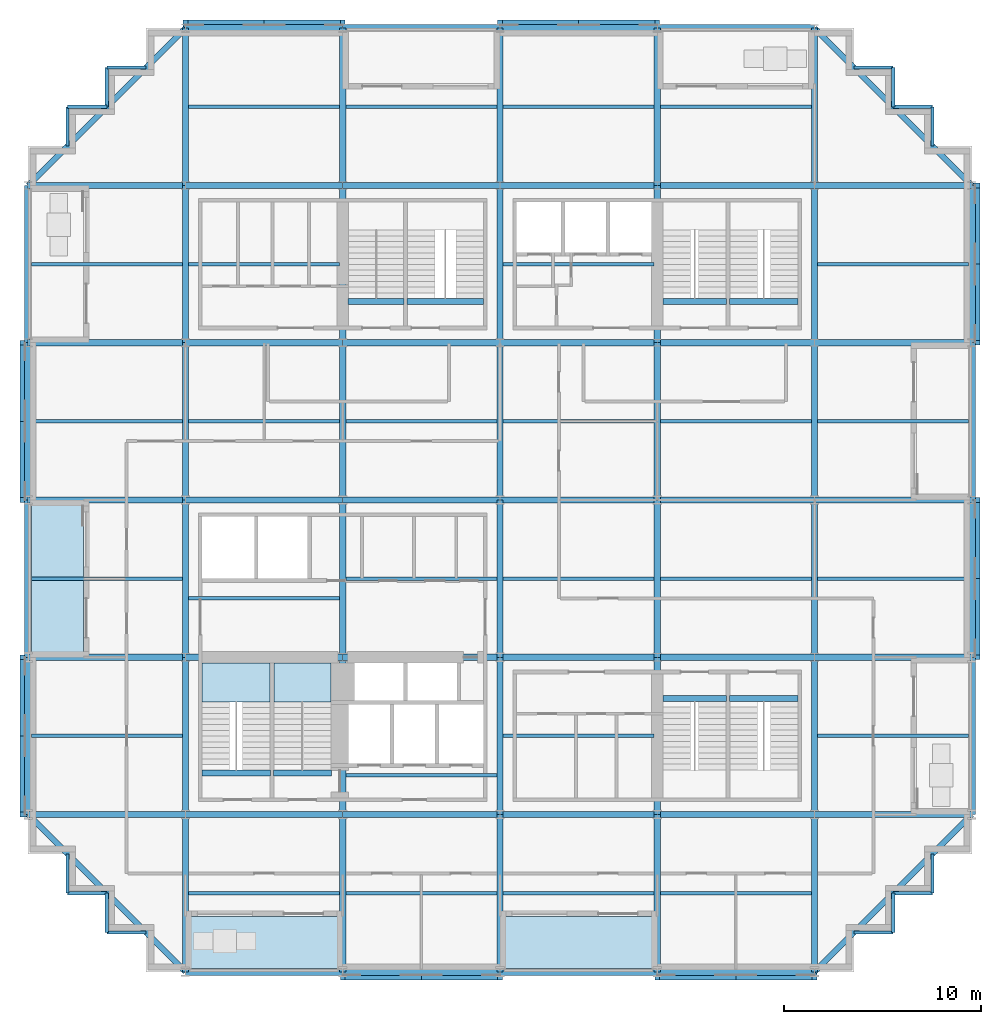
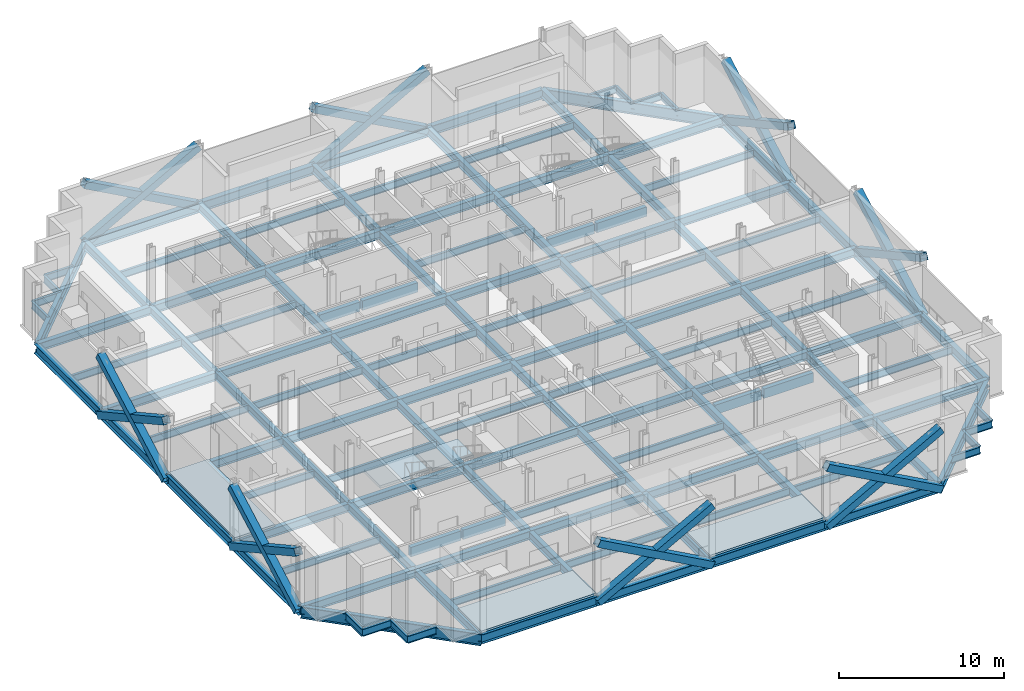
# One storey, part 3 of 13: 132 beams, 16 members, 5 slabs, 2 elements without a shape of their own.
"""IFC4 building model written with IfcOpenShell, lengths in metres."""

from ifc_helpers import new_model, si_unit, direction, frame, origin, origin_2d, place, context, subcontext, project, spatial, polyline, rectangle, hollow_rectangle, i_section, outline, extrude, material, layer, layer_set, material_profile, profile_set, type_object, element, aggregate, save


model = new_model("IFC4")

# Units and contexts
model_context = context("Model", 3, precision=1e-05, world=origin(), true_north=direction((0.0, 1.0)))
body_context = subcontext(model_context, "Body", "Model", "MODEL_VIEW")
ifc_project = project(units=[si_unit("LENGTHUNIT", "METRE"), si_unit("AREAUNIT", "SQUARE_METRE"), si_unit("VOLUMEUNIT", "CUBIC_METRE"), si_unit("PLANEANGLEUNIT", "RADIAN"), si_unit("MASSUNIT", "GRAM", prefix="KILO")], contexts=[model_context])

# Site, building, storey
site_placement = place(None, origin())
site = spatial("IfcSite", under=ifc_project, at=site_placement, CompositionType="ELEMENT")
building_placement = place(site_placement, origin())
building = spatial("IfcBuilding", under=site, at=building_placement, Name="Immortelle Media Tower", CompositionType="ELEMENT")
storey_placement = place(building_placement, frame((0.0, 0.0, 56.800048828125)))
storey = spatial("IfcBuildingStorey", under=building, at=storey_placement, Name="L09", CompositionType="ELEMENT", Elevation=56.800048828125)

# Members
ifc_material_1 = material(Name="Steel ASTM A500 Gr C", Category="steel")
ifc_material_profile_1 = material_profile(ifc_material_1, hollow_rectangle(XDim=0.508056640625, YDim=0.508056640625, WallThickness=0.011962890625, at=origin_2d()), Name="HSS20x20x1/2 brace")
ifc_profile_set_1 = profile_set([ifc_material_profile_1], Name="Steel ASTM A500 Gr C")
member_type = type_object("IfcMemberType", Name="HSS20x20x1/2 brace", PredefinedType="BRACE", material=ifc_profile_set_1)
for number, where, z_axis, x_axis, name in (
    (1, (-0.1640625, 32.0, -0.498046875), (0.0, -0.876220425204, 0.481910537812), (1.0, 0.0, 0.0), "Brace 1/D-E A"),
    (2, (-0.1640625, 32.0, 3.90185546875), (0.0, -0.876220425204, -0.481910537812), (1.0, 0.0, 0.0), "Brace 1/D-E B"),
    (3, (-0.1640625, 16.0, -0.498046875), (0.0, -0.876220425204, 0.481910537812), (1.0, 0.0, 0.0), "Brace 1/B-C A"),
    (4, (-0.1640625, 16.0, 3.90185546875), (0.0, -0.876220425204, -0.481910537812), (1.0, 0.0, 0.0), "Brace 1/B-C B"),
    (5, (16.0, -0.1640625, -0.498046875), (0.876220425204, 0.0, 0.481910537812), (0.0, 1.0, 0.0), "Brace A/3-4 A"),
    (6, (16.0, -0.1640625, 3.90185546875), (0.876220425204, 0.0, -0.481910537812), (0.0, 1.0, 0.0), "Brace A/3-4 B"),
    (7, (32.0, -0.1640625, -0.498046875), (0.876220425204, 0.0, 0.481910537812), (0.0, 1.0, 0.0), "Brace A/5-6 A"),
    (8, (32.0, -0.1640625, 3.90185546875), (0.876220425204, 0.0, -0.481910537812), (0.0, 1.0, 0.0), "Brace A/5-6 B"),
    (9, (48.1640625, 16.0, -0.498046875), (0.0, 0.876220425204, 0.481910537812), (-1.0, 0.0, 0.0), "Brace 7/C-D A"),
    (10, (48.1640625, 16.0, 3.90185546875), (0.0, 0.876220425204, -0.481910537812), (-1.0, 0.0, 0.0), "Brace 7/C-D B"),
    (11, (48.1640625, 32.0, -0.498046875), (0.0, 0.876220425204, 0.481910537812), (-1.0, 0.0, 0.0), "Brace 7/E-F A"),
    (12, (48.1640625, 32.0, 3.90185546875), (0.0, 0.876220425204, -0.481910537812), (-1.0, 0.0, 0.0), "Brace 7/E-F B"),
    (13, (32.0, 48.1640625, -0.498046875), (-0.876220425204, 0.0, 0.481910537812), (0.0, -1.0, 0.0), "Brace G/4-5 A"),
    (14, (32.0, 48.1640625, 3.90185546875), (-0.876220425204, 0.0, -0.481910537812), (0.0, -1.0, 0.0), "Brace G/4-5 B"),
    (15, (16.0, 48.1640625, -0.498046875), (-0.876220425204, 0.0, 0.481910537812), (0.0, -1.0, 0.0), "Brace G/2-3 A"),
    (16, (16.0, 48.1640625, 3.90185546875), (-0.876220425204, 0.0, -0.481910537812), (0.0, -1.0, 0.0), "Brace G/2-3 B"),
):
    element("IfcMember", number, at=place(storey_placement, frame(where, z_axis=z_axis, x_axis=x_axis)), inside=storey, type_object=member_type, Name=name, PredefinedType="BRACE", context=body_context, shape_type="SweptSolid", body=[
        extrude(hollow_rectangle(XDim=0.508056640625, YDim=0.508056640625, WallThickness=0.011962890625, at=origin_2d()), origin(), (0.0, 0.0, 1.0), 9.130126953125),
    ])

# Beams
ifc_material_2 = material(Name="Concrete C50/60", Category="concrete")
ifc_material_profile_2 = material_profile(ifc_material_2, rectangle(XDim=0.300048828125, YDim=0.699951171875, at=origin_2d()), Name="RC 300x700")
ifc_profile_set_2 = profile_set([ifc_material_profile_2], Name="Concrete C50/60")
beam_type_1 = type_object("IfcBeamType", Name="Stair trimmer beam 300 x 700", PredefinedType="BEAM", material=ifc_profile_set_2)
beam_1_placement = place(storey_placement, frame((8.830078125, 10.10498046875, -0.5), z_axis=(1.0, 0.0, 0.0), x_axis=(0.0, 1.0, 0.0)))
element("IfcBeam", 17, at=beam_1_placement, inside=storey, type_object=beam_type_1, Name="Stair trimmer beam SW1", PredefinedType="BEAM", context=body_context, shape_type="SweptSolid", body=[
    extrude(rectangle(XDim=0.300048828125, YDim=0.699951171875, at=origin_2d()), origin(), (0.0, 0.0, 1.0), 3.489990234375),
])
beam_2_placement = place(storey_placement, frame((12.47998046875, 10.10498046875, -0.5), z_axis=(1.0, 0.0, 0.0), x_axis=(0.0, 1.0, 0.0)))
element("IfcBeam", 18, at=beam_2_placement, inside=storey, type_object=beam_type_1, Name="Stair trimmer beam SW2", PredefinedType="BEAM", context=body_context, shape_type="SweptSolid", body=[
    extrude(rectangle(XDim=0.300048828125, YDim=0.699951171875, at=origin_2d()), origin(), (0.0, 0.0, 1.0), 2.93994140625),
])
beam_3_placement = place(storey_placement, frame((32.280029296875, 13.89501953125, -0.5), z_axis=(1.0, 0.0, 0.0), x_axis=(0.0, 1.0, 0.0)))
element("IfcBeam", 19, at=beam_3_placement, inside=storey, type_object=beam_type_1, Name="Stair trimmer beam SE1", PredefinedType="BEAM", context=body_context, shape_type="SweptSolid", body=[
    extrude(rectangle(XDim=0.300048828125, YDim=0.699951171875, at=origin_2d()), origin(), (0.0, 0.0, 1.0), 3.239990234375),
])
beam_4_placement = place(storey_placement, frame((35.679931640625, 13.89501953125, -0.5), z_axis=(1.0, 0.0, 0.0), x_axis=(0.0, 1.0, 0.0)))
element("IfcBeam", 20, at=beam_4_placement, inside=storey, type_object=beam_type_1, Name="Stair trimmer beam SE2", PredefinedType="BEAM", context=body_context, shape_type="SweptSolid", body=[
    extrude(rectangle(XDim=0.300048828125, YDim=0.699951171875, at=origin_2d()), origin(), (0.0, 0.0, 1.0), 3.489990234375),
])
beam_5_placement = place(storey_placement, frame((16.280029296875, 34.10498046875, -0.5), z_axis=(1.0, 0.0, 0.0), x_axis=(0.0, 1.0, 0.0)))
element("IfcBeam", 21, at=beam_5_placement, inside=storey, type_object=beam_type_1, Name="Stair trimmer beam NW1", PredefinedType="BEAM", context=body_context, shape_type="SweptSolid", body=[
    extrude(rectangle(XDim=0.300048828125, YDim=0.699951171875, at=origin_2d()), origin(), (0.0, 0.0, 1.0), 2.840087890625),
])
beam_6_placement = place(storey_placement, frame((19.280029296875, 34.10498046875, -0.5), z_axis=(1.0, 0.0, 0.0), x_axis=(0.0, 1.0, 0.0)))
element("IfcBeam", 22, at=beam_6_placement, inside=storey, type_object=beam_type_1, Name="Stair trimmer beam NW2", PredefinedType="BEAM", context=body_context, shape_type="SweptSolid", body=[
    extrude(rectangle(XDim=0.300048828125, YDim=0.699951171875, at=origin_2d()), origin(), (0.0, 0.0, 1.0), 3.889892578125),
])
beam_7_placement = place(storey_placement, frame((32.280029296875, 34.10498046875, -0.5), z_axis=(1.0, 0.0, 0.0), x_axis=(0.0, 1.0, 0.0)))
element("IfcBeam", 23, at=beam_7_placement, inside=storey, type_object=beam_type_1, Name="Stair trimmer beam NE1", PredefinedType="BEAM", context=body_context, shape_type="SweptSolid", body=[
    extrude(rectangle(XDim=0.300048828125, YDim=0.699951171875, at=origin_2d()), origin(), (0.0, 0.0, 1.0), 3.239990234375),
])
beam_8_placement = place(storey_placement, frame((35.679931640625, 34.10498046875, -0.5), z_axis=(1.0, 0.0, 0.0), x_axis=(0.0, 1.0, 0.0)))
element("IfcBeam", 24, at=beam_8_placement, inside=storey, type_object=beam_type_1, Name="Stair trimmer beam NE2", PredefinedType="BEAM", context=body_context, shape_type="SweptSolid", body=[
    extrude(rectangle(XDim=0.300048828125, YDim=0.699951171875, at=origin_2d()), origin(), (0.0, 0.0, 1.0), 3.489990234375),
])
ifc_material_3 = material(Name="Steel ASTM A992 Gr 50", Category="steel")
ifc_material_profile_3 = material_profile(ifc_material_3, i_section(OverallWidth=0.1669921875, OverallDepth=0.535888671875, WebThickness=0.010009765625, FlangeThickness=0.01708984375, at=origin_2d()), Name="W21x57")
ifc_profile_set_3 = profile_set([ifc_material_profile_3], Name="Steel ASTM A992 Gr 50")
beam_type_2 = type_object("IfcBeamType", Name="W21x57 secondary beam", PredefinedType="JOIST", material=ifc_profile_set_3)
for number, where, z_axis, x_axis, name in (
    (25, (8.162109375, 4.0, -0.41796875), (1.0, 0.0, 0.0), (0.0, 1.0, 0.0), "Beam A-B/2-3"),
    (26, (16.162109375, 4.0, -0.41796875), (1.0, 0.0, 0.0), (0.0, 1.0, 0.0), "Beam A-B/3-4"),
    (27, (24.162109375, 4.0, -0.41796875), (1.0, 0.0, 0.0), (0.0, 1.0, 0.0), "Beam A-B/4-5"),
    (28, (32.162109375, 4.0, -0.41796875), (1.0, 0.0, 0.0), (0.0, 1.0, 0.0), "Beam A-B/5-6"),
):
    element("IfcBeam", number, at=place(storey_placement, frame(where, z_axis=z_axis, x_axis=x_axis)), inside=storey, type_object=beam_type_2, Name=name, PredefinedType="JOIST", context=body_context, shape_type="SweptSolid", body=[
        extrude(i_section(OverallWidth=0.1669921875, OverallDepth=0.535888671875, WebThickness=0.010009765625, FlangeThickness=0.01708984375, at=origin_2d()), origin(), (0.0, 0.0, 1.0), 7.67578125),
    ])
beam_9_placement = place(storey_placement, frame((0.177978515625, 12.0, -0.41796875), z_axis=(1.0, 0.0, 0.0), x_axis=(0.0, 1.0, 0.0)))
element("IfcBeam", 29, at=beam_9_placement, inside=storey, type_object=beam_type_2, Name="Beam B-C/1-2", PredefinedType="JOIST", context=body_context, shape_type="SweptSolid", body=[
    extrude(i_section(OverallWidth=0.1669921875, OverallDepth=0.535888671875, WebThickness=0.010009765625, FlangeThickness=0.01708984375, at=origin_2d()), origin(), (0.0, 0.0, 1.0), 7.659912109375),
])
for number, where, z_axis, x_axis, name in (
    (30, (16.162109375, 10.0, -0.41796875), (1.0, 0.0, 0.0), (0.0, 1.0, 0.0), "Beam B-C/3-4"),
    (31, (24.162109375, 12.0, -0.41796875), (1.0, 0.0, 0.0), (0.0, 1.0, 0.0), "Beam B-C/4-5"),
):
    element("IfcBeam", number, at=place(storey_placement, frame(where, z_axis=z_axis, x_axis=x_axis)), inside=storey, type_object=beam_type_2, Name=name, PredefinedType="JOIST", context=body_context, shape_type="SweptSolid", body=[
        extrude(i_section(OverallWidth=0.1669921875, OverallDepth=0.535888671875, WebThickness=0.010009765625, FlangeThickness=0.01708984375, at=origin_2d()), origin(), (0.0, 0.0, 1.0), 7.67578125),
    ])
for number, where, z_axis, x_axis, name in (
    (32, (40.162109375, 12.0, -0.41796875), (1.0, 0.0, 0.0), (0.0, 1.0, 0.0), "Beam B-C/6-7"),
    (33, (0.177978515625, 20.0, -0.41796875), (1.0, 0.0, 0.0), (0.0, 1.0, 0.0), "Beam C-D/1-2"),
):
    element("IfcBeam", number, at=place(storey_placement, frame(where, z_axis=z_axis, x_axis=x_axis)), inside=storey, type_object=beam_type_2, Name=name, PredefinedType="JOIST", context=body_context, shape_type="SweptSolid", body=[
        extrude(i_section(OverallWidth=0.1669921875, OverallDepth=0.535888671875, WebThickness=0.010009765625, FlangeThickness=0.01708984375, at=origin_2d()), origin(), (0.0, 0.0, 1.0), 7.659912109375),
    ])
for number, where, z_axis, x_axis, name in (
    (34, (8.162109375, 19.0, -0.41796875), (1.0, 0.0, 0.0), (0.0, 1.0, 0.0), "Beam C-D/2-3"),
    (35, (16.162109375, 20.0, -0.41796875), (1.0, 0.0, 0.0), (0.0, 1.0, 0.0), "Beam C-D/3-4"),
    (36, (24.162109375, 20.0, -0.41796875), (1.0, 0.0, 0.0), (0.0, 1.0, 0.0), "Beam C-D/4-5"),
    (37, (32.162109375, 20.0, -0.41796875), (1.0, 0.0, 0.0), (0.0, 1.0, 0.0), "Beam C-D/5-6"),
):
    element("IfcBeam", number, at=place(storey_placement, frame(where, z_axis=z_axis, x_axis=x_axis)), inside=storey, type_object=beam_type_2, Name=name, PredefinedType="JOIST", context=body_context, shape_type="SweptSolid", body=[
        extrude(i_section(OverallWidth=0.1669921875, OverallDepth=0.535888671875, WebThickness=0.010009765625, FlangeThickness=0.01708984375, at=origin_2d()), origin(), (0.0, 0.0, 1.0), 7.67578125),
    ])
for number, where, z_axis, x_axis, name in (
    (38, (40.162109375, 20.0, -0.41796875), (1.0, 0.0, 0.0), (0.0, 1.0, 0.0), "Beam C-D/6-7"),
    (39, (0.177978515625, 28.0, -0.41796875), (1.0, 0.0, 0.0), (0.0, 1.0, 0.0), "Beam D-E/1-2"),
):
    element("IfcBeam", number, at=place(storey_placement, frame(where, z_axis=z_axis, x_axis=x_axis)), inside=storey, type_object=beam_type_2, Name=name, PredefinedType="JOIST", context=body_context, shape_type="SweptSolid", body=[
        extrude(i_section(OverallWidth=0.1669921875, OverallDepth=0.535888671875, WebThickness=0.010009765625, FlangeThickness=0.01708984375, at=origin_2d()), origin(), (0.0, 0.0, 1.0), 7.659912109375),
    ])
for number, where, z_axis, x_axis, name in (
    (40, (8.162109375, 28.0, -0.41796875), (1.0, 0.0, 0.0), (0.0, 1.0, 0.0), "Beam D-E/2-3"),
    (41, (16.162109375, 28.0, -0.41796875), (1.0, 0.0, 0.0), (0.0, 1.0, 0.0), "Beam D-E/3-4"),
    (42, (24.162109375, 28.0, -0.41796875), (1.0, 0.0, 0.0), (0.0, 1.0, 0.0), "Beam D-E/4-5"),
    (43, (32.162109375, 28.0, -0.41796875), (1.0, 0.0, 0.0), (0.0, 1.0, 0.0), "Beam D-E/5-6"),
):
    element("IfcBeam", number, at=place(storey_placement, frame(where, z_axis=z_axis, x_axis=x_axis)), inside=storey, type_object=beam_type_2, Name=name, PredefinedType="JOIST", context=body_context, shape_type="SweptSolid", body=[
        extrude(i_section(OverallWidth=0.1669921875, OverallDepth=0.535888671875, WebThickness=0.010009765625, FlangeThickness=0.01708984375, at=origin_2d()), origin(), (0.0, 0.0, 1.0), 7.67578125),
    ])
for number, where, z_axis, x_axis, name in (
    (44, (40.162109375, 28.0, -0.41796875), (1.0, 0.0, 0.0), (0.0, 1.0, 0.0), "Beam D-E/6-7"),
    (45, (0.177978515625, 36.0, -0.41796875), (1.0, 0.0, 0.0), (0.0, 1.0, 0.0), "Beam E-F/1-2"),
):
    element("IfcBeam", number, at=place(storey_placement, frame(where, z_axis=z_axis, x_axis=x_axis)), inside=storey, type_object=beam_type_2, Name=name, PredefinedType="JOIST", context=body_context, shape_type="SweptSolid", body=[
        extrude(i_section(OverallWidth=0.1669921875, OverallDepth=0.535888671875, WebThickness=0.010009765625, FlangeThickness=0.01708984375, at=origin_2d()), origin(), (0.0, 0.0, 1.0), 7.659912109375),
    ])
for number, where, z_axis, x_axis, name in (
    (46, (8.162109375, 36.0, -0.41796875), (1.0, 0.0, 0.0), (0.0, 1.0, 0.0), "Beam E-F/2-3"),
    (47, (24.162109375, 36.0, -0.41796875), (1.0, 0.0, 0.0), (0.0, 1.0, 0.0), "Beam E-F/4-5"),
):
    element("IfcBeam", number, at=place(storey_placement, frame(where, z_axis=z_axis, x_axis=x_axis)), inside=storey, type_object=beam_type_2, Name=name, PredefinedType="JOIST", context=body_context, shape_type="SweptSolid", body=[
        extrude(i_section(OverallWidth=0.1669921875, OverallDepth=0.535888671875, WebThickness=0.010009765625, FlangeThickness=0.01708984375, at=origin_2d()), origin(), (0.0, 0.0, 1.0), 7.67578125),
    ])
beam_10_placement = place(storey_placement, frame((40.162109375, 36.0, -0.41796875), z_axis=(1.0, 0.0, 0.0), x_axis=(0.0, 1.0, 0.0)))
element("IfcBeam", 48, at=beam_10_placement, inside=storey, type_object=beam_type_2, Name="Beam E-F/6-7", PredefinedType="JOIST", context=body_context, shape_type="SweptSolid", body=[
    extrude(i_section(OverallWidth=0.1669921875, OverallDepth=0.535888671875, WebThickness=0.010009765625, FlangeThickness=0.01708984375, at=origin_2d()), origin(), (0.0, 0.0, 1.0), 7.659912109375),
])
for number, where, z_axis, x_axis, name in (
    (49, (8.162109375, 44.0, -0.41796875), (1.0, 0.0, 0.0), (0.0, 1.0, 0.0), "Beam F-G/2-3"),
    (50, (16.162109375, 44.0, -0.41796875), (1.0, 0.0, 0.0), (0.0, 1.0, 0.0), "Beam F-G/3-4"),
    (51, (24.162109375, 44.0, -0.41796875), (1.0, 0.0, 0.0), (0.0, 1.0, 0.0), "Beam F-G/4-5"),
    (52, (32.162109375, 44.0, -0.41796875), (1.0, 0.0, 0.0), (0.0, 1.0, 0.0), "Beam F-G/5-6"),
):
    element("IfcBeam", number, at=place(storey_placement, frame(where, z_axis=z_axis, x_axis=x_axis)), inside=storey, type_object=beam_type_2, Name=name, PredefinedType="JOIST", context=body_context, shape_type="SweptSolid", body=[
        extrude(i_section(OverallWidth=0.1669921875, OverallDepth=0.535888671875, WebThickness=0.010009765625, FlangeThickness=0.01708984375, at=origin_2d()), origin(), (0.0, 0.0, 1.0), 7.67578125),
    ])
ifc_material_profile_4 = material_profile(ifc_material_3, i_section(OverallWidth=0.1669921875, OverallDepth=0.535888671875, WebThickness=0.010009765625, FlangeThickness=0.01708984375, at=origin_2d()), Name="W21x57")
ifc_profile_set_4 = profile_set([ifc_material_profile_4], Name="Steel ASTM A992 Gr 50")
beam_type_3 = type_object("IfcBeamType", Name="W21x57 serration edge beam", PredefinedType="SPANDREL", material=ifc_profile_set_4)
for number, where, z_axis, x_axis, name in (
    (53, (6.0, 2.0, -0.41796875), (-1.0, 0.0, 0.0), (0.0, -1.0, 0.0), "Corner edge beam 1 at 1/A"),
    (54, (4.0, 2.0, -0.41796875), (0.0, 1.0, 0.0), (-1.0, 0.0, 0.0), "Corner edge beam 2 at 1/A"),
    (55, (4.0, 4.0, -0.41796875), (-1.0, 0.0, 0.0), (0.0, -1.0, 0.0), "Corner edge beam 3 at 1/A"),
    (56, (2.0, 4.0, -0.41796875), (0.0, 1.0, 0.0), (-1.0, 0.0, 0.0), "Corner edge beam 4 at 1/A"),
    (57, (2.0, 42.0, -0.41796875), (0.0, 1.0, 0.0), (-1.0, 0.0, 0.0), "Corner edge beam 1 at 1/G"),
    (58, (2.0, 44.0, -0.41796875), (1.0, 0.0, 0.0), (0.0, 1.0, 0.0), "Corner edge beam 2 at 1/G"),
    (59, (4.0, 44.0, -0.41796875), (0.0, 1.0, 0.0), (-1.0, 0.0, 0.0), "Corner edge beam 3 at 1/G"),
    (60, (4.0, 46.0, -0.41796875), (1.0, 0.0, 0.0), (0.0, 1.0, 0.0), "Corner edge beam 4 at 1/G"),
    (61, (46.0, 6.0, -0.41796875), (0.0, -1.0, 0.0), (1.0, 0.0, 0.0), "Corner edge beam 1 at 7/A"),
    (62, (46.0, 4.0, -0.41796875), (-1.0, 0.0, 0.0), (0.0, -1.0, 0.0), "Corner edge beam 2 at 7/A"),
    (63, (44.0, 4.0, -0.41796875), (0.0, -1.0, 0.0), (1.0, 0.0, 0.0), "Corner edge beam 3 at 7/A"),
    (64, (44.0, 2.0, -0.41796875), (-1.0, 0.0, 0.0), (0.0, -1.0, 0.0), "Corner edge beam 4 at 7/A"),
    (65, (42.0, 46.0, -0.41796875), (1.0, 0.0, 0.0), (0.0, 1.0, 0.0), "Corner edge beam 1 at 7/G"),
    (66, (44.0, 46.0, -0.41796875), (0.0, -1.0, 0.0), (1.0, 0.0, 0.0), "Corner edge beam 2 at 7/G"),
    (67, (44.0, 44.0, -0.41796875), (1.0, 0.0, 0.0), (0.0, 1.0, 0.0), "Corner edge beam 3 at 7/G"),
    (68, (46.0, 44.0, -0.41796875), (0.0, -1.0, 0.0), (1.0, 0.0, 0.0), "Corner edge beam 4 at 7/G"),
):
    element("IfcBeam", number, at=place(storey_placement, frame(where, z_axis=z_axis, x_axis=x_axis)), inside=storey, type_object=beam_type_3, Name=name, PredefinedType="SPANDREL", context=body_context, shape_type="SweptSolid", body=[
        extrude(i_section(OverallWidth=0.1669921875, OverallDepth=0.535888671875, WebThickness=0.010009765625, FlangeThickness=0.01708984375, at=origin_2d()), origin(), (0.0, 0.0, 1.0), 2.0),
    ])
ifc_material_profile_5 = material_profile(ifc_material_3, i_section(OverallWidth=0.323974609375, OverallDepth=0.612060546875, WebThickness=0.012939453125, FlangeThickness=0.01904296875, at=origin_2d()), Name="W24x104")
ifc_profile_set_5 = profile_set([ifc_material_profile_5], Name="Steel ASTM A992 Gr 50")
beam_type_4 = type_object("IfcBeamType", Name="W24x104 girder", PredefinedType="BEAM", material=ifc_profile_set_5)
for number, where, z_axis, x_axis, name in (
    (69, (0.0, 8.0, -0.4560546875), (1.0, 0.0, 0.0), (0.0, 1.0, 0.0), "Girder B/1-2"),
    (70, (0.0, 16.0, -0.4560546875), (1.0, 0.0, 0.0), (0.0, 1.0, 0.0), "Girder C/1-2"),
    (71, (0.0, 24.0, -0.4560546875), (1.0, 0.0, 0.0), (0.0, 1.0, 0.0), "Girder D/1-2"),
    (72, (0.0, 32.0, -0.4560546875), (1.0, 0.0, 0.0), (0.0, 1.0, 0.0), "Girder E/1-2"),
    (73, (0.0, 40.0, -0.4560546875), (1.0, 0.0, 0.0), (0.0, 1.0, 0.0), "Girder F/1-2"),
    (74, (8.0, 0.0, -0.4560546875), (0.0, 1.0, 0.0), (-1.0, 0.0, 0.0), "Girder 2/A-B"),
    (75, (8.0, 8.0, -0.4560546875), (1.0, 0.0, 0.0), (0.0, 1.0, 0.0), "Girder B/2-3"),
    (76, (8.0, 8.0, -0.4560546875), (0.0, 1.0, 0.0), (-1.0, 0.0, 0.0), "Girder 2/B-C"),
    (77, (8.0, 16.0, -0.4560546875), (1.0, 0.0, 0.0), (0.0, 1.0, 0.0), "Girder C/2-3"),
    (78, (8.0, 16.0, -0.4560546875), (0.0, 1.0, 0.0), (-1.0, 0.0, 0.0), "Girder 2/C-D"),
    (79, (8.0, 24.0, -0.4560546875), (1.0, 0.0, 0.0), (0.0, 1.0, 0.0), "Girder D/2-3"),
    (80, (8.0, 24.0, -0.4560546875), (0.0, 1.0, 0.0), (-1.0, 0.0, 0.0), "Girder 2/D-E"),
    (81, (8.0, 32.0, -0.4560546875), (1.0, 0.0, 0.0), (0.0, 1.0, 0.0), "Girder E/2-3"),
    (82, (8.0, 32.0, -0.4560546875), (0.0, 1.0, 0.0), (-1.0, 0.0, 0.0), "Girder 2/E-F"),
    (83, (8.0, 40.0, -0.4560546875), (1.0, 0.0, 0.0), (0.0, 1.0, 0.0), "Girder F/2-3"),
    (84, (8.0, 40.0, -0.4560546875), (0.0, 1.0, 0.0), (-1.0, 0.0, 0.0), "Girder 2/F-G"),
    (85, (16.0, 0.0, -0.4560546875), (0.0, 1.0, 0.0), (-1.0, 0.0, 0.0), "Girder 3/A-B"),
    (86, (16.0, 8.0, -0.4560546875), (1.0, 0.0, 0.0), (0.0, 1.0, 0.0), "Girder B/3-4"),
    (87, (16.0, 8.0, -0.4560546875), (0.0, 1.0, 0.0), (-1.0, 0.0, 0.0), "Girder 3/B-C"),
    (88, (16.0, 16.0, -0.4560546875), (1.0, 0.0, 0.0), (0.0, 1.0, 0.0), "Girder C/3-4"),
    (89, (16.0, 16.0, -0.4560546875), (0.0, 1.0, 0.0), (-1.0, 0.0, 0.0), "Girder 3/C-D"),
    (90, (16.0, 24.0, -0.4560546875), (1.0, 0.0, 0.0), (0.0, 1.0, 0.0), "Girder D/3-4"),
    (91, (16.0, 24.0, -0.4560546875), (0.0, 1.0, 0.0), (-1.0, 0.0, 0.0), "Girder 3/D-E"),
    (92, (16.0, 32.0, -0.4560546875), (1.0, 0.0, 0.0), (0.0, 1.0, 0.0), "Girder E/3-4"),
    (93, (16.0, 32.0, -0.4560546875), (0.0, 1.0, 0.0), (-1.0, 0.0, 0.0), "Girder 3/E-F"),
    (94, (16.0, 40.0, -0.4560546875), (1.0, 0.0, 0.0), (0.0, 1.0, 0.0), "Girder F/3-4"),
    (95, (16.0, 40.0, -0.4560546875), (0.0, 1.0, 0.0), (-1.0, 0.0, 0.0), "Girder 3/F-G"),
    (96, (24.0, 0.0, -0.4560546875), (0.0, 1.0, 0.0), (-1.0, 0.0, 0.0), "Girder 4/A-B"),
    (97, (24.0, 8.0, -0.4560546875), (1.0, 0.0, 0.0), (0.0, 1.0, 0.0), "Girder B/4-5"),
    (98, (24.0, 8.0, -0.4560546875), (0.0, 1.0, 0.0), (-1.0, 0.0, 0.0), "Girder 4/B-C"),
    (99, (24.0, 16.0, -0.4560546875), (1.0, 0.0, 0.0), (0.0, 1.0, 0.0), "Girder C/4-5"),
    (100, (24.0, 16.0, -0.4560546875), (0.0, 1.0, 0.0), (-1.0, 0.0, 0.0), "Girder 4/C-D"),
    (101, (24.0, 24.0, -0.4560546875), (1.0, 0.0, 0.0), (0.0, 1.0, 0.0), "Girder D/4-5"),
    (102, (24.0, 24.0, -0.4560546875), (0.0, 1.0, 0.0), (-1.0, 0.0, 0.0), "Girder 4/D-E"),
    (103, (24.0, 32.0, -0.4560546875), (1.0, 0.0, 0.0), (0.0, 1.0, 0.0), "Girder E/4-5"),
    (104, (24.0, 32.0, -0.4560546875), (0.0, 1.0, 0.0), (-1.0, 0.0, 0.0), "Girder 4/E-F"),
    (105, (24.0, 40.0, -0.4560546875), (1.0, 0.0, 0.0), (0.0, 1.0, 0.0), "Girder F/4-5"),
    (106, (24.0, 40.0, -0.4560546875), (0.0, 1.0, 0.0), (-1.0, 0.0, 0.0), "Girder 4/F-G"),
    (107, (32.0, 0.0, -0.4560546875), (0.0, 1.0, 0.0), (-1.0, 0.0, 0.0), "Girder 5/A-B"),
    (108, (32.0, 8.0, -0.4560546875), (1.0, 0.0, 0.0), (0.0, 1.0, 0.0), "Girder B/5-6"),
    (109, (32.0, 8.0, -0.4560546875), (0.0, 1.0, 0.0), (-1.0, 0.0, 0.0), "Girder 5/B-C"),
    (110, (32.0, 16.0, -0.4560546875), (1.0, 0.0, 0.0), (0.0, 1.0, 0.0), "Girder C/5-6"),
    (111, (32.0, 16.0, -0.4560546875), (0.0, 1.0, 0.0), (-1.0, 0.0, 0.0), "Girder 5/C-D"),
    (112, (32.0, 24.0, -0.4560546875), (1.0, 0.0, 0.0), (0.0, 1.0, 0.0), "Girder D/5-6"),
    (113, (32.0, 24.0, -0.4560546875), (0.0, 1.0, 0.0), (-1.0, 0.0, 0.0), "Girder 5/D-E"),
    (114, (32.0, 32.0, -0.4560546875), (1.0, 0.0, 0.0), (0.0, 1.0, 0.0), "Girder E/5-6"),
    (115, (32.0, 32.0, -0.4560546875), (0.0, 1.0, 0.0), (-1.0, 0.0, 0.0), "Girder 5/E-F"),
    (116, (32.0, 40.0, -0.4560546875), (1.0, 0.0, 0.0), (0.0, 1.0, 0.0), "Girder F/5-6"),
    (117, (32.0, 40.0, -0.4560546875), (0.0, 1.0, 0.0), (-1.0, 0.0, 0.0), "Girder 5/F-G"),
    (118, (40.0, 0.0, -0.4560546875), (0.0, 1.0, 0.0), (-1.0, 0.0, 0.0), "Girder 6/A-B"),
    (119, (40.0, 8.0, -0.4560546875), (1.0, 0.0, 0.0), (0.0, 1.0, 0.0), "Girder B/6-7"),
    (120, (40.0, 8.0, -0.4560546875), (0.0, 1.0, 0.0), (-1.0, 0.0, 0.0), "Girder 6/B-C"),
    (121, (40.0, 16.0, -0.4560546875), (1.0, 0.0, 0.0), (0.0, 1.0, 0.0), "Girder C/6-7"),
    (122, (40.0, 16.0, -0.4560546875), (0.0, 1.0, 0.0), (-1.0, 0.0, 0.0), "Girder 6/C-D"),
    (123, (40.0, 24.0, -0.4560546875), (1.0, 0.0, 0.0), (0.0, 1.0, 0.0), "Girder D/6-7"),
    (124, (40.0, 24.0, -0.4560546875), (0.0, 1.0, 0.0), (-1.0, 0.0, 0.0), "Girder 6/D-E"),
    (125, (40.0, 32.0, -0.4560546875), (1.0, 0.0, 0.0), (0.0, 1.0, 0.0), "Girder E/6-7"),
    (126, (40.0, 32.0, -0.4560546875), (0.0, 1.0, 0.0), (-1.0, 0.0, 0.0), "Girder 6/E-F"),
    (127, (40.0, 40.0, -0.4560546875), (1.0, 0.0, 0.0), (0.0, 1.0, 0.0), "Girder F/6-7"),
    (128, (40.0, 40.0, -0.4560546875), (0.0, 1.0, 0.0), (-1.0, 0.0, 0.0), "Girder 6/F-G"),
):
    element("IfcBeam", number, at=place(storey_placement, frame(where, z_axis=z_axis, x_axis=x_axis)), inside=storey, type_object=beam_type_4, Name=name, PredefinedType="BEAM", context=body_context, shape_type="SweptSolid", body=[
        extrude(i_section(OverallWidth=0.323974609375, OverallDepth=0.612060546875, WebThickness=0.012939453125, FlangeThickness=0.01904296875, at=origin_2d()), origin(), (0.0, 0.0, 1.0), 8.0),
    ])
ifc_material_profile_6 = material_profile(ifc_material_3, i_section(OverallWidth=0.35595703125, OverallDepth=0.696044921875, WebThickness=0.014892578125, FlangeThickness=0.02490234375, at=origin_2d()), Name="W27x146")
ifc_profile_set_6 = profile_set([ifc_material_profile_6], Name="Steel ASTM A992 Gr 50")
beam_type_5 = type_object("IfcBeamType", Name="W27x146 perimeter girder", PredefinedType="SPANDREL", material=ifc_profile_set_6)
for number, where, z_axis, x_axis, name in (
    (129, (0.0, 8.0, -0.498046875), (0.0, 1.0, 0.0), (-1.0, 0.0, 0.0), "Girder 1/B-C"),
    (130, (0.0, 16.0, -0.498046875), (0.0, 1.0, 0.0), (-1.0, 0.0, 0.0), "Girder 1/C-D"),
    (131, (0.0, 24.0, -0.498046875), (0.0, 1.0, 0.0), (-1.0, 0.0, 0.0), "Girder 1/D-E"),
    (132, (0.0, 32.0, -0.498046875), (0.0, 1.0, 0.0), (-1.0, 0.0, 0.0), "Girder 1/E-F"),
    (133, (8.0, 0.0, -0.498046875), (1.0, 0.0, 0.0), (0.0, 1.0, 0.0), "Girder A/2-3"),
    (134, (8.0, 48.0, -0.498046875), (1.0, 0.0, 0.0), (0.0, 1.0, 0.0), "Girder G/2-3"),
    (135, (16.0, 0.0, -0.498046875), (1.0, 0.0, 0.0), (0.0, 1.0, 0.0), "Girder A/3-4"),
    (136, (16.0, 48.0, -0.498046875), (1.0, 0.0, 0.0), (0.0, 1.0, 0.0), "Girder G/3-4"),
    (137, (24.0, 0.0, -0.498046875), (1.0, 0.0, 0.0), (0.0, 1.0, 0.0), "Girder A/4-5"),
    (138, (24.0, 48.0, -0.498046875), (1.0, 0.0, 0.0), (0.0, 1.0, 0.0), "Girder G/4-5"),
    (139, (32.0, 0.0, -0.498046875), (1.0, 0.0, 0.0), (0.0, 1.0, 0.0), "Girder A/5-6"),
    (140, (32.0, 48.0, -0.498046875), (1.0, 0.0, 0.0), (0.0, 1.0, 0.0), "Girder G/5-6"),
    (141, (48.0, 8.0, -0.498046875), (0.0, 1.0, 0.0), (-1.0, 0.0, 0.0), "Girder 7/B-C"),
    (142, (48.0, 16.0, -0.498046875), (0.0, 1.0, 0.0), (-1.0, 0.0, 0.0), "Girder 7/C-D"),
    (143, (48.0, 24.0, -0.498046875), (0.0, 1.0, 0.0), (-1.0, 0.0, 0.0), "Girder 7/D-E"),
    (144, (48.0, 32.0, -0.498046875), (0.0, 1.0, 0.0), (-1.0, 0.0, 0.0), "Girder 7/E-F"),
):
    element("IfcBeam", number, at=place(storey_placement, frame(where, z_axis=z_axis, x_axis=x_axis)), inside=storey, type_object=beam_type_5, Name=name, PredefinedType="SPANDREL", context=body_context, shape_type="SweptSolid", body=[
        extrude(i_section(OverallWidth=0.35595703125, OverallDepth=0.696044921875, WebThickness=0.014892578125, FlangeThickness=0.02490234375, at=origin_2d()), origin(), (0.0, 0.0, 1.0), 8.0),
    ])
ifc_material_profile_7 = material_profile(ifc_material_3, i_section(OverallWidth=0.2919921875, OverallDepth=0.85888671875, WebThickness=0.01708984375, FlangeThickness=0.031005859375, at=origin_2d()), Name="W33x169")
ifc_profile_set_7 = profile_set([ifc_material_profile_7], Name="Steel ASTM A992 Gr 50")
beam_type_6 = type_object("IfcBeamType", Name="W33x169 corner girder", PredefinedType="SPANDREL", material=ifc_profile_set_7)
for number, where, z_axis, x_axis, name in (
    (145, (8.0, 0.0, -0.57958984375), (-0.707106781187, 0.707106781187, 0.0), (-0.707106781187, -0.707106781187, 0.0), "Corner girder at 1/A"),
    (146, (0.0, 40.0, -0.57958984375), (0.707106781187, 0.707106781187, 0.0), (-0.707106781187, 0.707106781187, 0.0), "Corner girder at 1/G"),
    (147, (48.0, 8.0, -0.57958984375), (-0.707106781187, -0.707106781187, 0.0), (0.707106781187, -0.707106781187, 0.0), "Corner girder at 7/A"),
    (148, (40.0, 48.0, -0.57958984375), (0.707106781187, -0.707106781187, 0.0), (0.707106781187, 0.707106781187, 0.0), "Corner girder at 7/G"),
):
    element("IfcBeam", number, at=place(storey_placement, frame(where, z_axis=z_axis, x_axis=x_axis)), inside=storey, type_object=beam_type_6, Name=name, PredefinedType="SPANDREL", context=body_context, shape_type="SweptSolid", body=[
        extrude(i_section(OverallWidth=0.2919921875, OverallDepth=0.85888671875, WebThickness=0.01708984375, FlangeThickness=0.031005859375, at=origin_2d()), origin(), (0.0, 0.0, 1.0), 11.313720703125),
    ])

# Slabs
ifc_material_4 = material(Name="Concrete C50/60 composite deck", Category="concrete")
ifc_layer_1 = layer(ifc_material_4, 0.14990234375)
ifc_layer_set_1 = layer_set([ifc_layer_1], Name="Concrete C50/60 composite deck")
slab_type_1 = type_object("IfcSlabType", Name="Balcony slab 150", PredefinedType="FLOOR", material=ifc_layer_set_1)
slab_1_placement = place(storey_placement, frame((0.0, 0.0, -0.150146484375)))
element("IfcSlab", 149, at=slab_1_placement, inside=storey, type_object=slab_type_1, Name="Balcony slab L09 W2", PredefinedType="FLOOR", context=body_context, shape_type="SweptSolid", body=[
    extrude(outline(polyline([(2.800048828125, 16.0), (2.800048828125, 24.0), (0.0, 24.0), (0.0, 16.0), (2.800048828125, 16.0)])), origin(), (0.0, 0.0, 1.0), 0.150146484375),
])
slab_2_placement = place(storey_placement, frame((0.0, 0.0, -0.150146484375)))
element("IfcSlab", 150, at=slab_2_placement, inside=storey, type_object=slab_type_1, Name="Balcony slab L09 S0", PredefinedType="FLOOR", context=body_context, shape_type="SweptSolid", body=[
    extrude(outline(polyline([(16.0, 0.0), (16.0, 2.800048828125), (8.0, 2.800048828125), (8.0, 0.0), (16.0, 0.0)])), origin(), (0.0, 0.0, 1.0), 0.150146484375),
])
slab_3_placement = place(storey_placement, frame((0.0, 0.0, -0.150146484375)))
element("IfcSlab", 151, at=slab_3_placement, inside=storey, type_object=slab_type_1, Name="Balcony slab L09 S2", PredefinedType="FLOOR", context=body_context, shape_type="SweptSolid", body=[
    extrude(outline(polyline([(32.0, 0.0), (32.0, 2.800048828125), (24.0, 2.800048828125), (24.0, 0.0), (32.0, 0.0)])), origin(), (0.0, 0.0, 1.0), 0.150146484375),
])

# Stair, slab
stair_type = type_object("IfcStairType", Name="Stair with flights", PredefinedType="DOUBLE_RETURN_STAIR", material=ifc_material_3)
stair_1_placement = place(storey_placement, origin())
stair_1 = element("IfcStair", 152, at=stair_1_placement, inside=storey, type_object=stair_type, Name="Exit stair SW1", PredefinedType="DOUBLE_RETURN_STAIR")
ifc_material_5 = material(Name="Steel ASTM A572 Gr 50", Category="steel")
ifc_layer_2 = layer(ifc_material_5, 0.199951171875)
ifc_layer_set_2 = layer_set([ifc_layer_2], Name="Steel ASTM A572 Gr 50")
slab_type_2 = type_object("IfcSlabType", Name="Stair landing 200", PredefinedType="LANDING", material=ifc_layer_set_2)
slab_4_placement = place(storey_placement, frame((0.0, 0.0, 1.911865234375)))
slab_4 = element("IfcSlab", 153, at=slab_4_placement, type_object=slab_type_2, Name="ST SW1 landing 1", PredefinedType="LANDING", context=body_context, shape_type="SweptSolid", body=[
    extrude(outline(polyline([(8.85009765625, 13.72998046875), (12.300048828125, 13.72998046875), (12.300048828125, 15.699951171875), (8.85009765625, 15.699951171875), (8.85009765625, 13.72998046875)])), origin(), (0.0, 0.0, 1.0), 0.2001953125),
])
aggregate(stair_1, [slab_4])

stair_2_placement = place(storey_placement, origin())
stair_2 = element("IfcStair", 154, at=stair_2_placement, inside=storey, type_object=stair_type, Name="Exit stair SW2", PredefinedType="DOUBLE_RETURN_STAIR")
slab_5_placement = place(storey_placement, frame((0.0, 0.0, 1.911865234375)))
slab_5 = element("IfcSlab", 155, at=slab_5_placement, type_object=slab_type_2, Name="ST SW2 landing 1", PredefinedType="LANDING", context=body_context, shape_type="SweptSolid", body=[
    extrude(outline(polyline([(12.5, 13.72998046875), (15.39990234375, 13.72998046875), (15.39990234375, 15.699951171875), (12.5, 15.699951171875), (12.5, 13.72998046875)])), origin(), (0.0, 0.0, 1.0), 0.2001953125),
])
aggregate(stair_2, [slab_5])

save(model, "model.ifc")
